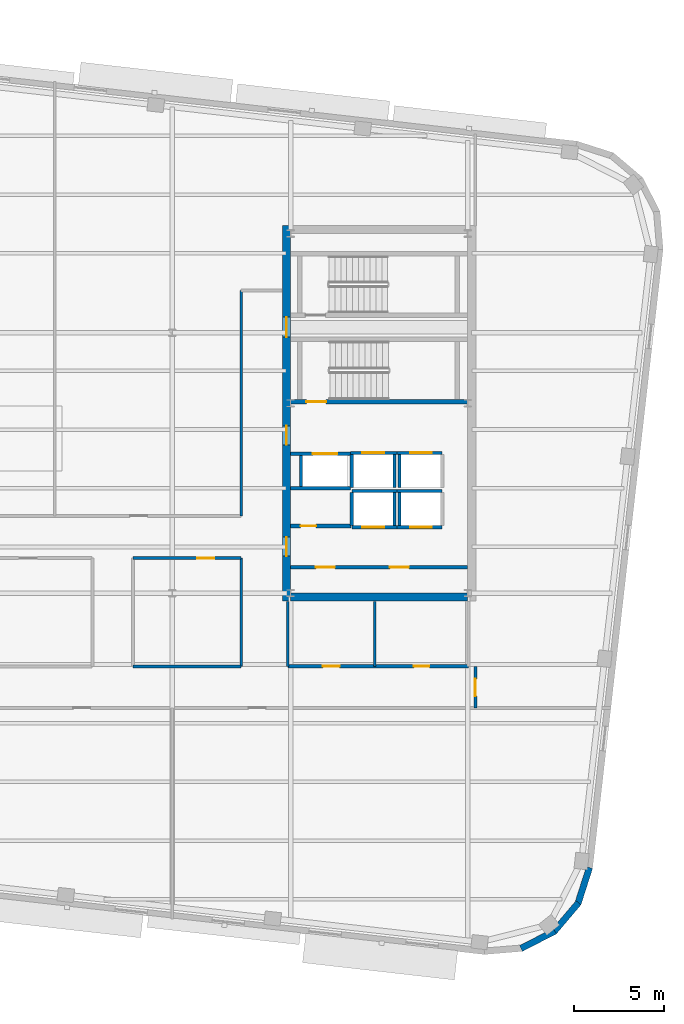
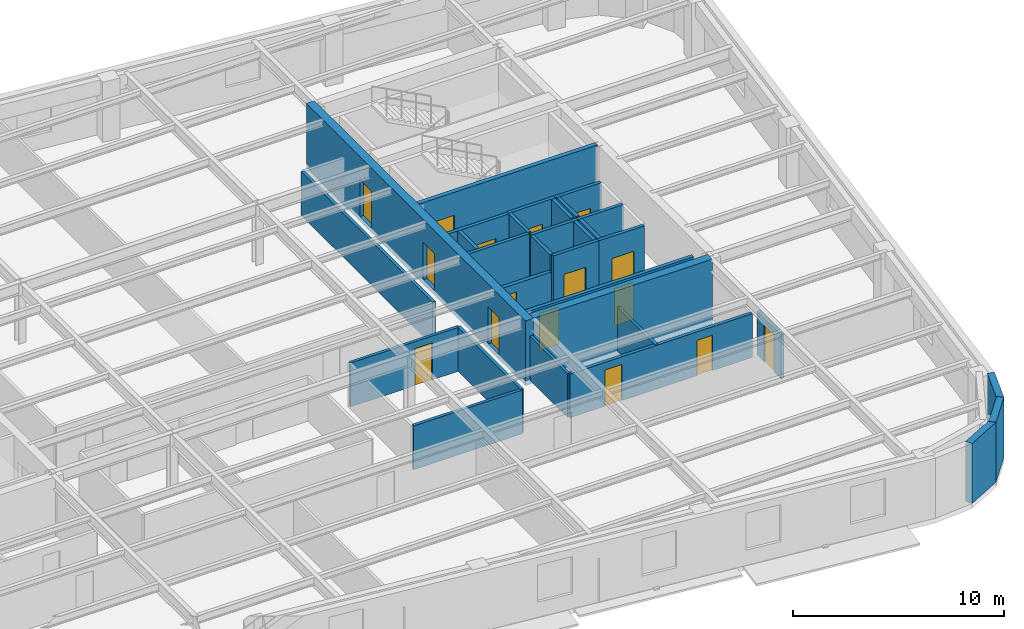
# One storey, part 7 of 13: 31 walls, 16 doors, 16 openings.
"""IFC4 building model written with IfcOpenShell, lengths in metres."""

import ifcopenshell
import ifcopenshell.guid

model = None  # the IFC model being written
_history = None  # IfcOwnerHistory: only IFC2X3 demands one
_inside = {}  # id of a spatial element -> (the spatial element, [elements in it])
_under = {}  # id of a project, library or spatial element -> (it, [spatial elements below it])
_declared = {}  # id of a project -> (the project, [libraries it declares])
_typed = {}  # id of a type object -> (the type object, [elements of that type])
_made_of = {}  # id of a material, layer set ... -> (it, [elements and type objects made of it])


def new_model(schema):
    """Start an empty IFC model of exactly this schema.

    Asked for "IFC4X3", IfcOpenShell would pick the latest addendum, in which some entities
    have other attributes; the version numbers below select the first issue.
    IFC2X3 requires an IfcOwnerHistory on every rooted entity: one is made here for all.
    """
    global model, _history
    if schema == "IFC4X3":
        model = ifcopenshell.file(schema_version=(4, 3, 0, 0))
    else:
        model = ifcopenshell.file(schema=schema)
    _inside.clear()
    _under.clear()
    _declared.clear()
    _typed.clear()
    _made_of.clear()
    _history = None
    if model.schema == "IFC2X3":
        org = make("IfcOrganization", Name="unknown")
        user = make(
            "IfcPersonAndOrganization",
            ThePerson=make("IfcPerson", FamilyName="unknown"),
            TheOrganization=org,
        )
        app = make(
            "IfcApplication",
            ApplicationDeveloper=org,
            Version="unknown",
            ApplicationFullName="unknown",
            ApplicationIdentifier="unknown",
        )
        _history = make(
            "IfcOwnerHistory",
            OwningUser=user,
            OwningApplication=app,
            ChangeAction="ADDED",
            CreationDate=0,
        )
    return model


def make(cls, **values):
    """One entity of the class cls with the attributes given. An attribute that is None is left unset."""
    return model.create_entity(
        cls, **{name: value for name, value in values.items() if value is not None}
    )


def rooted(cls, **values):
    """An entity with a GlobalId (a new one), such as an element, a storey or a relation."""
    return make(cls, GlobalId=ifcopenshell.guid.new(), OwnerHistory=_history, **values)


def si_unit(unit_type, name, prefix=None):
    """IfcSIUnit, for example si_unit("LENGTHUNIT", "METRE", prefix="MILLI")."""
    return make("IfcSIUnit", UnitType=unit_type, Prefix=prefix, Name=name)


def assignment(units):
    """IfcUnitAssignment: the units of a project."""
    return None if units is None else make("IfcUnitAssignment", Units=units)


def point(xyz):
    """IfcCartesianPoint."""
    return None if xyz is None else make("IfcCartesianPoint", Coordinates=xyz)


def direction(xyz):
    """IfcDirection."""
    return None if xyz is None else make("IfcDirection", DirectionRatios=xyz)


def frame(location, z_axis=None, x_axis=None):
    """IfcAxis2Placement3D, a coordinate frame: its origin and axes. An axis left out is left unset."""
    return make(
        "IfcAxis2Placement3D",
        Location=point(location),
        Axis=direction(z_axis),
        RefDirection=direction(x_axis),
    )


def frame_2d(location, x_axis=None):
    """IfcAxis2Placement2D, a coordinate frame in the plane: its origin and x axis."""
    return make(
        "IfcAxis2Placement2D", Location=point(location), RefDirection=direction(x_axis)
    )


def origin():
    """The frame at (0, 0, 0) with its axes left unset."""
    return frame((0.0, 0.0, 0.0))


def place(relative_to, where):
    """IfcLocalPlacement: puts the frame where relative to a parent placement (None: the world)."""
    return make(
        "IfcLocalPlacement", PlacementRelTo=relative_to, RelativePlacement=where
    )


def context(
    kind, dimensions, precision=None, world=None, true_north=None, identifier=None
):
    """IfcGeometricRepresentationContext, for example the 3D "Model" context."""
    return make(
        "IfcGeometricRepresentationContext",
        ContextIdentifier=identifier,
        ContextType=kind,
        CoordinateSpaceDimension=dimensions,
        Precision=precision,
        WorldCoordinateSystem=world,
        TrueNorth=true_north,
    )


def subcontext(parent, identifier, kind, view, scale=None):
    """IfcGeometricRepresentationSubContext, for example "Body" below "Model"."""
    return make(
        "IfcGeometricRepresentationSubContext",
        ContextIdentifier=identifier,
        ContextType=kind,
        ParentContext=parent,
        TargetScale=scale,
        TargetView=view,
    )


def project(units=None, contexts=None):
    """IfcProject with its units and contexts."""
    return rooted(
        "IfcProject",
        Name="project",
        RepresentationContexts=contexts,
        UnitsInContext=assignment(units),
    )


def spatial(cls, under=None, at=None, **own):
    """A site, building, storey or space (cls), placed at a placement, below another one or the project."""
    s = rooted(cls, ObjectPlacement=at, **own)
    if under is not None:
        _under.setdefault(under.id(), (under, []))[1].append(s)
    return s


def profile(cls, at=None, kind="AREA", **sizes):
    """A parametric profile (cls). Its sizes go by their IFC names, for example OverallWidth=200.0."""
    return make(cls, ProfileType=kind, Position=at, **sizes)


def rectangle(**sizes):
    """IfcRectangleProfileDef."""
    return profile("IfcRectangleProfileDef", **sizes)


def extrude(swept, where, along, depth):
    """IfcExtrudedAreaSolid: the profile swept, set in the frame where, extruded along a direction by depth."""
    return make(
        "IfcExtrudedAreaSolid",
        SweptArea=swept,
        Position=where,
        ExtrudedDirection=direction(along),
        Depth=depth,
    )


def shape(context_of_items, identifier, shape_type, items):
    """IfcShapeRepresentation: the items that make up one representation, for example the "Body"."""
    return make(
        "IfcShapeRepresentation",
        ContextOfItems=context_of_items,
        RepresentationIdentifier=identifier,
        RepresentationType=shape_type,
        Items=items,
    )


def material(Name=None, Category=None):
    """IfcMaterial."""
    return make("IfcMaterial", Name=Name, Category=Category)


def layer(
    of_material, thickness, ventilated=None, Name=None, Category=None, Priority=None
):
    """IfcMaterialLayer: one layer of a wall or slab, of a material (None: an air gap)."""
    return make(
        "IfcMaterialLayer",
        Material=of_material,
        LayerThickness=thickness,
        IsVentilated=ventilated,
        Name=Name,
        Category=Category,
        Priority=Priority,
    )


def layer_set(layers, Name=None):
    """IfcMaterialLayerSet."""
    return make("IfcMaterialLayerSet", MaterialLayers=layers, LayerSetName=Name)


def made_of(thing, what):
    """Note that an element or type object is made of a material, layer set ...; save() writes the relation."""
    if what is not None:
        _made_of.setdefault(what.id(), (what, []))[1].append(thing)
    return thing


def type_object(cls, material=None, **own):
    """A type object (cls), such as IfcWallType, which elements share."""
    return made_of(rooted(cls, **own), material)


def element(
    cls,
    number,
    at=None,
    inside=None,
    cuts=None,
    type_object=None,
    material=None,
    context=None,
    identifier="Body",
    shape_type=None,
    held_by="IfcProductDefinitionShape",
    body=None,
    shapes=None,
    **own,
):
    """One element of the class cls, such as IfcWall. Its Tag is "e" and its number.

    at: its placement. inside: the storey or other place that contains it. cuts: it is an
    opening in that element (IfcRelVoidsElement). A single representation is given by context,
    identifier, shape_type and body (its items); several are given by shapes. held_by: the class
    of the entity that holds the representations. save() writes the other relations.
    """
    e = rooted(cls, Tag="e%d" % number, ObjectPlacement=at, **own)
    if body is not None:
        shapes = [shape(context, identifier, shape_type, body)]
    if shapes is not None:
        e.Representation = make(held_by, Representations=shapes)
    if inside is not None:
        _inside.setdefault(inside.id(), (inside, []))[1].append(e)
    if cuts is not None:
        rooted(
            "IfcRelVoidsElement", RelatingBuildingElement=cuts, RelatedOpeningElement=e
        )
    if type_object is not None:
        _typed.setdefault(type_object.id(), (type_object, []))[1].append(e)
    return made_of(e, material)


def fill(opening, filler):
    """IfcRelFillsElement: the door or window that sits in an opening."""
    return rooted(
        "IfcRelFillsElement",
        RelatingOpeningElement=opening,
        RelatedBuildingElement=filler,
    )


def aggregate(whole, parts):
    """IfcRelAggregates: a whole, such as a stair, and the parts it consists of."""
    return rooted("IfcRelAggregates", RelatingObject=whole, RelatedObjects=parts)


def save(model, path):
    """Write the relations noted so far, then the file.

    IfcRelAggregates (storeys below a building ...), IfcRelContainedInSpatialStructure (elements
    in a storey), IfcRelDefinesByType, IfcRelAssociatesMaterial and IfcRelDeclares: one each for
    every whole, place, type object, material and project.
    """
    for whole, parts in _under.values():
        aggregate(whole, parts)
    for where, things in _inside.values():
        rooted(
            "IfcRelContainedInSpatialStructure",
            RelatedElements=things,
            RelatingStructure=where,
        )
    for kind, things in _typed.values():
        rooted("IfcRelDefinesByType", RelatedObjects=things, RelatingType=kind)
    for what, things in _made_of.values():
        rooted("IfcRelAssociatesMaterial", RelatedObjects=things, RelatingMaterial=what)
    for by, libraries in _declared.values():
        rooted("IfcRelDeclares", RelatingContext=by, RelatedDefinitions=libraries)
    model.write(path)


model = new_model("IFC4")

# Units and contexts
model_context = context("Model", 3, precision=1e-05, world=origin(), true_north=direction((0.0, 1.0)))
body_context = subcontext(model_context, "Body", "Model", "MODEL_VIEW")
ifc_project = project(units=[si_unit("LENGTHUNIT", "METRE"), si_unit("AREAUNIT", "SQUARE_METRE"), si_unit("VOLUMEUNIT", "CUBIC_METRE"), si_unit("PLANEANGLEUNIT", "RADIAN"), si_unit("MASSUNIT", "GRAM", prefix="KILO")], contexts=[model_context])

# Site, building, storey
site_placement = place(None, origin())
site = spatial("IfcSite", under=ifc_project, at=site_placement, CompositionType="ELEMENT")
building_placement = place(site_placement, origin())
building = spatial("IfcBuilding", under=site, at=building_placement, Name="Kolvaren Arena Tower", CompositionType="ELEMENT")
storey_placement = place(building_placement, frame((0.0, 0.0, 262.199951171875)))
storey = spatial("IfcBuildingStorey", under=building, at=storey_placement, Name="L64", CompositionType="ELEMENT", Elevation=262.199951171875)

# Wall, opening, door
ifc_material_1 = material(Name="Gypsum board acoustic assembly", Category="gypsum")
ifc_layer_1 = layer(ifc_material_1, 0.159912109375)
ifc_layer_set_1 = layer_set([ifc_layer_1], Name="Gypsum board acoustic assembly")
wall_type_1 = type_object("IfcWallType", Name="CORR-160", PredefinedType="PARTITIONING", material=ifc_layer_set_1)
wall_1_placement = place(storey_placement, frame((41.840087890625, 21.3798828125, 0.0), z_axis=(0.0, 0.0, 1.0), x_axis=(1.0, 0.0, 0.0)))
wall_1 = element("IfcWall", 1, at=wall_1_placement, inside=storey, type_object=wall_type_1, Name="Interior Partition Wall (L64)", PredefinedType="PARTITIONING", context=body_context, shape_type="SweptSolid", body=[
    extrude(rectangle(XDim=5.9599609375, YDim=0.159912109375, at=frame_2d((2.97998046875, 0.0))), origin(), (0.0, 0.0, 1.0), 2.5400390625),
])
opening_1_placement = place(wall_1_placement, frame((3.534912109375, 0.0, 0.0)))
opening_1 = element("IfcOpeningElement", 2, at=opening_1_placement, cuts=wall_1, Name="Opening D05", PredefinedType="OPENING", context=body_context, shape_type="SweptSolid", body=[
    extrude(rectangle(XDim=0.949951171875, YDim=2.14990234375, at=frame_2d((0.47509765625, 1.074951171875))), frame((0.0, 0.08984375, 0.0), z_axis=(0.0, -1.0, 0.0), x_axis=(1.0, 0.0, 0.0)), (0.0, 0.0, 1.0), 0.179931640625),
])
ifc_material_2 = material(Name="Solid-core oak acoustic office door", Category="wood")
door_type_1 = type_object("IfcDoorType", Name="DOOR-OF-095", OperationType="NOTDEFINED", PredefinedType="DOOR", material=ifc_material_2)
door_1_placement = place(opening_1_placement, origin())
door_1 = element("IfcDoor", 3, at=door_1_placement, inside=storey, type_object=door_type_1, Name="Design Studio Door (L64)", OperationType="SINGLE_SWING_LEFT", OverallHeight=2.14990234375, OverallWidth=0.949951171875, PredefinedType="DOOR", context=body_context, shape_type="SweptSolid", body=[
    extrude(rectangle(XDim=0.949951171875, YDim=2.14990234375, at=frame_2d((0.47509765625, 1.074951171875))), frame((0.0, 0.02490234375, 0.0), z_axis=(0.0, -1.0, 0.0), x_axis=(1.0, 0.0, 0.0)), (0.0, 0.0, 1.0), 0.050048828125),
])
fill(opening_1, door_1)

# Walls
wall_2_placement = place(storey_placement, frame((41.840087890625, 15.3798828125, 0.0), z_axis=(0.0, 0.0, 1.0), x_axis=(1.0, 0.0, 0.0)))
element("IfcWall", 4, at=wall_2_placement, inside=storey, type_object=wall_type_1, Name="Interior Partition Wall (L64)", PredefinedType="PARTITIONING", context=body_context, shape_type="SweptSolid", body=[
    extrude(rectangle(XDim=5.9599609375, YDim=0.159912109375, at=frame_2d((2.97998046875, 0.0))), origin(), (0.0, 0.0, 1.0), 2.5400390625),
])
wall_3_placement = place(storey_placement, frame((47.820068359375, 15.3798828125, 0.0), z_axis=(0.0, 0.0, 1.0), x_axis=(0.0, 1.0, 0.0)))
element("IfcWall", 5, at=wall_3_placement, inside=storey, type_object=wall_type_1, Name="Interior Partition Wall (L64)", PredefinedType="PARTITIONING", context=body_context, shape_type="SweptSolid", body=[
    extrude(rectangle(XDim=6.0, YDim=0.159912109375, at=frame_2d((3.0, 0.0))), origin(), (0.0, 0.0, 1.0), 2.5400390625),
])
wall_4_placement = place(storey_placement, frame((47.820068359375, 23.719970703125, 0.0), z_axis=(0.0, 0.0, 1.0), x_axis=(0.0, 1.0, 0.0)))
element("IfcWall", 6, at=wall_4_placement, inside=storey, type_object=wall_type_1, Name="Interior Partition Wall (L64)", PredefinedType="PARTITIONING", context=body_context, shape_type="SweptSolid", body=[
    extrude(rectangle(XDim=12.47998046875, YDim=0.159912109375, at=frame_2d((6.239990234375, 0.0))), origin(), (0.0, 0.0, 1.0), 2.5400390625),
])

# Wall, opening, door
wall_5_placement = place(storey_placement, frame((60.780029296875, 13.10009765625, 0.0), z_axis=(0.0, 0.0, 1.0), x_axis=(0.0, 1.0, 0.0)))
wall_5 = element("IfcWall", 7, at=wall_5_placement, inside=storey, type_object=wall_type_1, Name="Interior Partition Wall (L64)", PredefinedType="PARTITIONING", context=body_context, shape_type="SweptSolid", body=[
    extrude(rectangle(XDim=2.2998046875, YDim=0.159912109375, at=frame_2d((1.14990234375, 0.0))), origin(), (0.0, 0.0, 1.0), 2.5400390625),
])
opening_2_placement = place(wall_5_placement, frame((0.64990234375, 0.0, 0.0)))
opening_2 = element("IfcOpeningElement", 8, at=opening_2_placement, cuts=wall_5, Name="Opening D05", PredefinedType="OPENING", context=body_context, shape_type="SweptSolid", body=[
    extrude(rectangle(XDim=0.949951171875, YDim=2.14990234375, at=frame_2d((0.47509765625, 1.074951171875))), frame((0.0, 0.08984375, 0.0), z_axis=(0.0, -1.0, 0.0), x_axis=(1.0, 0.0, 0.0)), (0.0, 0.0, 1.0), 0.179931640625),
])
door_2_placement = place(opening_2_placement, origin())
door_2 = element("IfcDoor", 9, at=door_2_placement, inside=storey, type_object=door_type_1, Name="East Wing Studio Door (L64)", OperationType="SINGLE_SWING_RIGHT", OverallHeight=2.14990234375, OverallWidth=0.949951171875, PredefinedType="DOOR", context=body_context, shape_type="SweptSolid", body=[
    extrude(rectangle(XDim=0.949951171875, YDim=2.14990234375, at=frame_2d((0.47509765625, 1.074951171875))), frame((0.0, 0.02490234375, 0.0), z_axis=(0.0, -1.0, 0.0), x_axis=(1.0, 0.0, 0.0)), (0.0, 0.0, 1.0), 0.050048828125),
])
fill(opening_2, door_2)

# Wall, openings, doors
ifc_material_3 = material(Name="Concrete 55 MPa", Category="concrete")
ifc_layer_2 = layer(ifc_material_3, 0.449951171875)
ifc_layer_set_2 = layer_set([ifc_layer_2], Name="Concrete 55 MPa")
wall_type_2 = type_object("IfcWallType", Name="CWALL-450", PredefinedType="SHEAR", material=ifc_layer_set_2)
wall_6_placement = place(storey_placement, frame((50.324951171875, 19.0, -0.27001953125), z_axis=(0.0, 0.0, 1.0), x_axis=(0.0, 1.0, 0.0)))
wall_6 = element("IfcWall", 10, at=wall_6_placement, inside=storey, type_object=wall_type_2, Name="Core Shear Wall EC-WEST (L64)", PredefinedType="SHEAR", context=body_context, shape_type="SweptSolid", body=[
    extrude(rectangle(XDim=20.800048828125, YDim=0.449951171875, at=frame_2d((10.39990234375, 0.0))), origin(), (0.0, 0.0, 1.0), 3.75),
])
opening_3_placement = place(wall_6_placement, frame((2.5, 0.0, 0.27001953125)))
opening_3 = element("IfcOpeningElement", 11, at=opening_3_placement, cuts=wall_6, Name="Opening D04", PredefinedType="OPENING", context=body_context, shape_type="SweptSolid", body=[
    extrude(rectangle(XDim=1.050048828125, YDim=2.14990234375, at=frame_2d((0.52490234375, 1.074951171875))), frame((0.0, 0.23486328125, 0.0), z_axis=(0.0, -1.0, 0.0), x_axis=(1.0, 0.0, 0.0)), (0.0, 0.0, 1.0), 0.469970703125),
])
opening_4_placement = place(wall_6_placement, frame((8.64990234375, 0.0, 0.27001953125)))
opening_4 = element("IfcOpeningElement", 12, at=opening_4_placement, cuts=wall_6, Name="Opening D04", PredefinedType="OPENING", context=body_context, shape_type="SweptSolid", body=[
    extrude(rectangle(XDim=1.050048828125, YDim=2.14990234375, at=frame_2d((0.52490234375, 1.074951171875))), frame((0.0, 0.23486328125, 0.0), z_axis=(0.0, -1.0, 0.0), x_axis=(1.0, 0.0, 0.0)), (0.0, 0.0, 1.0), 0.469970703125),
])
opening_5_placement = place(wall_6_placement, frame((14.6201171875, 0.0, 0.27001953125)))
opening_5 = element("IfcOpeningElement", 13, at=opening_5_placement, cuts=wall_6, Name="Opening D03", PredefinedType="OPENING", context=body_context, shape_type="SweptSolid", body=[
    extrude(rectangle(XDim=1.10009765625, YDim=2.14990234375, at=frame_2d((0.550048828125, 1.074951171875))), frame((0.0, 0.23486328125, 0.0), z_axis=(0.0, -1.0, 0.0), x_axis=(1.0, 0.0, 0.0)), (0.0, 0.0, 1.0), 0.469970703125),
])
ifc_material_4 = material(Name="Fire-rated steel lobby door", Category="steel")
door_type_2 = type_object("IfcDoorType", Name="DOOR-FF-105", OperationType="NOTDEFINED", PredefinedType="DOOR", material=ifc_material_4)
door_3_placement = place(opening_3_placement, origin())
door_3 = element("IfcDoor", 14, at=door_3_placement, inside=storey, type_object=door_type_2, Name="East Lift Lobby Fire Door (L64)", OperationType="SINGLE_SWING_RIGHT", OverallHeight=2.14990234375, OverallWidth=1.050048828125, PredefinedType="DOOR", context=body_context, shape_type="SweptSolid", body=[
    extrude(rectangle(XDim=1.050048828125, YDim=2.14990234375, at=frame_2d((0.52490234375, 1.074951171875))), frame((0.0, 0.02490234375, 0.0), z_axis=(0.0, -1.0, 0.0), x_axis=(1.0, 0.0, 0.0)), (0.0, 0.0, 1.0), 0.050048828125),
])
fill(opening_3, door_3)
door_4_placement = place(opening_4_placement, origin())
door_4 = element("IfcDoor", 15, at=door_4_placement, inside=storey, type_object=door_type_2, Name="East Firefighter Vestibule Door (L64)", OperationType="SINGLE_SWING_LEFT", OverallHeight=2.14990234375, OverallWidth=1.050048828125, PredefinedType="DOOR", context=body_context, shape_type="SweptSolid", body=[
    extrude(rectangle(XDim=1.050048828125, YDim=2.14990234375, at=frame_2d((0.52490234375, 1.074951171875))), frame((0.0, 0.02490234375, 0.0), z_axis=(0.0, -1.0, 0.0), x_axis=(1.0, 0.0, 0.0)), (0.0, 0.0, 1.0), 0.050048828125),
])
fill(opening_4, door_4)
ifc_material_5 = material(Name="Fire-rated steel exit stair door", Category="steel")
door_type_3 = type_object("IfcDoorType", Name="DOOR-ST-110", OperationType="NOTDEFINED", PredefinedType="DOOR", material=ifc_material_5)
door_5_placement = place(opening_5_placement, origin())
door_5 = element("IfcDoor", 16, at=door_5_placement, inside=storey, type_object=door_type_3, Name="Stair ST-E2 Vestibule Fire Door (L64)", OperationType="SINGLE_SWING_LEFT", OverallHeight=2.14990234375, OverallWidth=1.10009765625, PredefinedType="DOOR", context=body_context, shape_type="SweptSolid", body=[
    extrude(rectangle(XDim=1.10009765625, YDim=2.14990234375, at=frame_2d((0.550048828125, 1.074951171875))), frame((0.0, 0.02490234375, 0.0), z_axis=(0.0, -1.0, 0.0), x_axis=(1.0, 0.0, 0.0)), (0.0, 0.0, 1.0), 0.050048828125),
])
fill(opening_5, door_5)

# Walls
wall_7_placement = place(storey_placement, frame((50.550048828125, 19.22509765625, -0.27001953125), z_axis=(0.0, 0.0, 1.0), x_axis=(1.0, 0.0, 0.0)))
element("IfcWall", 17, at=wall_7_placement, inside=storey, type_object=wall_type_2, Name="Core Shear Wall EC-SOUTH (L64)", PredefinedType="SHEAR", context=body_context, shape_type="SweptSolid", body=[
    extrude(rectangle(XDim=9.800048828125, YDim=0.449951171875, at=frame_2d((4.89990234375, 0.0))), origin(), (0.0, 0.0, 1.0), 3.75),
])
ifc_material_6 = material(Name="Precast concrete C50/60", Category="concrete")
ifc_layer_3 = layer(ifc_material_6, 0.360107421875)
ifc_layer_set_3 = layer_set([ifc_layer_3], Name="Precast concrete C50/60")
wall_type_3 = type_object("IfcWallType", Name="EXT-PIER2", PredefinedType="SOLIDWALL", material=ifc_layer_set_3)
for number, where, z_axis, x_axis, name in (
    (18, (65.176025390625, 0.745849609375, 0.0), (0.0, 0.0, 1.0), (-0.888985992199, -0.457934390142, 0.0), "Exterior Precast Masonry-Frame Wall (L64)"),
    (19, (66.482421875, 2.310302734375, 0.0), (0.0, 0.0, 1.0), (-0.646103249464, -0.763250018691, 0.0), "Exterior Precast Masonry-Frame Wall (L64)"),
):
    element("IfcWall", number, at=place(storey_placement, frame(where, z_axis=z_axis, x_axis=x_axis)), inside=storey, type_object=wall_type_3, Name=name, PredefinedType="SOLIDWALL", context=body_context, shape_type="SweptSolid", body=[
        extrude(rectangle(XDim=2.10693359375, YDim=0.360107421875, at=frame_2d((1.053466796875, 0.0))), origin(), (0.0, 0.0, 1.0), 3.47998046875),
    ])
wall_8_placement = place(storey_placement, frame((67.0908203125, 4.255615234375, 0.0), z_axis=(0.0, 0.0, 1.0), x_axis=(-0.304838787518, -0.952403965565, 0.0)))
element("IfcWall", 20, at=wall_8_placement, inside=storey, type_object=wall_type_3, Name="Exterior Precast Masonry-Frame Wall (L64)", PredefinedType="SOLIDWALL", context=body_context, shape_type="SweptSolid", body=[
    extrude(rectangle(XDim=2.107177734375, YDim=0.360107421875, at=frame_2d((1.0537109375, 0.0))), origin(), (0.0, 0.0, 1.0), 3.47998046875),
])

# Wall, openings, doors
ifc_material_7 = material(Name="Concrete 40 MPa", Category="concrete")
ifc_layer_4 = layer(ifc_material_7, 0.199951171875)
ifc_layer_set_4 = layer_set([ifc_layer_4], Name="Concrete 40 MPa")
wall_type_4 = type_object("IfcWallType", Name="LOBBY-200", PredefinedType="SOLIDWALL", material=ifc_layer_set_4)
wall_9_placement = place(storey_placement, frame((50.550048828125, 20.8798828125, 0.0), z_axis=(0.0, 0.0, 1.0), x_axis=(1.0, 0.0, 0.0)))
wall_9 = element("IfcWall", 21, at=wall_9_placement, inside=storey, type_object=wall_type_4, Name="Core Shaft Wall (L64)", PredefinedType="SOLIDWALL", context=body_context, shape_type="SweptSolid", body=[
    extrude(rectangle(XDim=9.800048828125, YDim=0.199951171875, at=frame_2d((4.89990234375, 0.0))), origin(), (0.0, 0.0, 1.0), 2.5400390625),
])
opening_6_placement = place(wall_9_placement, frame((1.39990234375, 0.0, 0.0)))
opening_6 = element("IfcOpeningElement", 22, at=opening_6_placement, cuts=wall_9, Name="Opening D04", PredefinedType="OPENING", context=body_context, shape_type="SweptSolid", body=[
    extrude(rectangle(XDim=1.050048828125, YDim=2.14990234375, at=frame_2d((0.52490234375, 1.074951171875))), frame((0.0, 0.10986328125, 0.0), z_axis=(0.0, -1.0, 0.0), x_axis=(1.0, 0.0, 0.0)), (0.0, 0.0, 1.0), 0.219970703125),
])
opening_7_placement = place(wall_9_placement, frame((5.5, 0.0, 0.0)))
opening_7 = element("IfcOpeningElement", 23, at=opening_7_placement, cuts=wall_9, Name="Opening D04", PredefinedType="OPENING", context=body_context, shape_type="SweptSolid", body=[
    extrude(rectangle(XDim=1.050048828125, YDim=2.14990234375, at=frame_2d((0.52490234375, 1.074951171875))), frame((0.0, 0.10986328125, 0.0), z_axis=(0.0, -1.0, 0.0), x_axis=(1.0, 0.0, 0.0)), (0.0, 0.0, 1.0), 0.219970703125),
])
door_6_placement = place(opening_6_placement, origin())
door_6 = element("IfcDoor", 24, at=door_6_placement, inside=storey, type_object=door_type_2, Name="East Telecom Room Fire Door (L64)", OperationType="SINGLE_SWING_RIGHT", OverallHeight=2.14990234375, OverallWidth=1.050048828125, PredefinedType="DOOR", context=body_context, shape_type="SweptSolid", body=[
    extrude(rectangle(XDim=1.050048828125, YDim=2.14990234375, at=frame_2d((0.52490234375, 1.074951171875))), frame((0.0, 0.02490234375, 0.0), z_axis=(0.0, -1.0, 0.0), x_axis=(1.0, 0.0, 0.0)), (0.0, 0.0, 1.0), 0.050048828125),
])
fill(opening_6, door_6)
door_7_placement = place(opening_7_placement, origin())
door_7 = element("IfcDoor", 25, at=door_7_placement, inside=storey, type_object=door_type_2, Name="East Records Room Fire Door (L64)", OperationType="SINGLE_SWING_LEFT", OverallHeight=2.14990234375, OverallWidth=1.050048828125, PredefinedType="DOOR", context=body_context, shape_type="SweptSolid", body=[
    extrude(rectangle(XDim=1.050048828125, YDim=2.14990234375, at=frame_2d((0.52490234375, 1.074951171875))), frame((0.0, 0.02490234375, 0.0), z_axis=(0.0, -1.0, 0.0), x_axis=(1.0, 0.0, 0.0)), (0.0, 0.0, 1.0), 0.050048828125),
])
fill(opening_7, door_7)

# Wall, opening, door
wall_10_placement = place(storey_placement, frame((50.550048828125, 23.159912109375, 0.0), z_axis=(0.0, 0.0, 1.0), x_axis=(1.0, 0.0, 0.0)))
wall_10 = element("IfcWall", 26, at=wall_10_placement, inside=storey, type_object=wall_type_4, Name="Core Shaft Wall (L64)", PredefinedType="SOLIDWALL", context=body_context, shape_type="SweptSolid", body=[
    extrude(rectangle(XDim=3.329833984375, YDim=0.199951171875, at=frame_2d((1.6650390625, 0.0))), origin(), (0.0, 0.0, 1.0), 2.5400390625),
])
opening_8_placement = place(wall_10_placement, frame((0.550048828125, 0.0, 0.0)))
opening_8 = element("IfcOpeningElement", 27, at=opening_8_placement, cuts=wall_10, Name="Opening D09", PredefinedType="OPENING", context=body_context, shape_type="SweptSolid", body=[
    extrude(rectangle(XDim=0.860107421875, YDim=2.050048828125, at=frame_2d((0.43017578125, 1.02490234375))), frame((0.0, 0.10986328125, 0.0), z_axis=(0.0, -1.0, 0.0), x_axis=(1.0, 0.0, 0.0)), (0.0, 0.0, 1.0), 0.219970703125),
])
ifc_material_8 = material(Name="Fire-rated steel riser access door", Category="steel")
door_type_4 = type_object("IfcDoorType", Name="DOOR-RS-086", OperationType="NOTDEFINED", PredefinedType="DOOR", material=ifc_material_8)
door_8_placement = place(opening_8_placement, origin())
door_8 = element("IfcDoor", 28, at=door_8_placement, inside=storey, type_object=door_type_4, Name="East AV Riser Closet Door (L64)", OperationType="SINGLE_SWING_LEFT", OverallHeight=2.050048828125, OverallWidth=0.860107421875, PredefinedType="DOOR", context=body_context, shape_type="SweptSolid", body=[
    extrude(rectangle(XDim=0.860107421875, YDim=2.050048828125, at=frame_2d((0.43017578125, 1.02490234375))), frame((0.0, 0.02490234375, 0.0), z_axis=(0.0, -1.0, 0.0), x_axis=(1.0, 0.0, 0.0)), (0.0, 0.0, 1.0), 0.050048828125),
])
fill(opening_8, door_8)

ifc_material_9 = material(Name="Concrete 45 MPa", Category="concrete")
ifc_layer_5 = layer(ifc_material_9, 0.25)
ifc_layer_set_5 = layer_set([ifc_layer_5], Name="Concrete 45 MPa")
wall_type_5 = type_object("IfcWallType", Name="SHAFT-250", PredefinedType="SOLIDWALL", material=ifc_layer_set_5)
wall_11_placement = place(storey_placement, frame((60.35009765625, 30.030029296875, 0.0), z_axis=(0.0, 0.0, 1.0), x_axis=(-1.0, 0.0, 0.0)))
wall_11 = element("IfcWall", 29, at=wall_11_placement, inside=storey, type_object=wall_type_5, Name="Core Shaft Wall (L64)", PredefinedType="SOLIDWALL", context=body_context, shape_type="SweptSolid", body=[
    extrude(rectangle(XDim=9.800048828125, YDim=0.239990234375, at=frame_2d((4.89990234375, 0.0))), origin(), (0.0, 0.0, 1.0), 3.47998046875),
])
opening_9_placement = place(wall_11_placement, frame((7.830078125, 0.0, 0.0)))
opening_9 = element("IfcOpeningElement", 30, at=opening_9_placement, cuts=wall_11, Name="Opening D03", PredefinedType="OPENING", context=body_context, shape_type="SweptSolid", body=[
    extrude(rectangle(XDim=1.10009765625, YDim=2.14990234375, at=frame_2d((0.550048828125, 1.074951171875))), frame((0.0, 0.1298828125, 0.0), z_axis=(0.0, -1.0, 0.0), x_axis=(1.0, 0.0, 0.0)), (0.0, 0.0, 1.0), 0.260009765625),
])
door_9_placement = place(opening_9_placement, origin())
door_9 = element("IfcDoor", 31, at=door_9_placement, inside=storey, type_object=door_type_3, Name="Stair ST-E1 Fire Door (L64)", OperationType="SINGLE_SWING_LEFT", OverallHeight=2.14990234375, OverallWidth=1.10009765625, PredefinedType="DOOR", context=body_context, shape_type="SweptSolid", body=[
    extrude(rectangle(XDim=1.10009765625, YDim=2.14990234375, at=frame_2d((0.550048828125, 1.074951171875))), frame((0.0, 0.02490234375, 0.0), z_axis=(0.0, -1.0, 0.0), x_axis=(1.0, 0.0, 0.0)), (0.0, 0.0, 1.0), 0.050048828125),
])
fill(opening_9, door_9)

# Wall
wall_12_placement = place(storey_placement, frame((53.93994140625, 25.10498046875, 0.0), z_axis=(0.0, 0.0, 1.0), x_axis=(1.0, 0.0, 0.0)))
element("IfcWall", 32, at=wall_12_placement, inside=storey, type_object=wall_type_5, Name="Core Shaft Wall (L64)", PredefinedType="SOLIDWALL", context=body_context, shape_type="SweptSolid", body=[
    extrude(rectangle(XDim=2.5, YDim=0.179931640625, at=frame_2d((1.25, 0.0))), origin(), (0.0, 0.0, 1.0), 3.47998046875),
])

# Wall, opening, door
wall_13_placement = place(storey_placement, frame((53.93994140625, 23.094970703125, 0.0), z_axis=(0.0, 0.0, 1.0), x_axis=(1.0, 0.0, 0.0)))
wall_13 = element("IfcWall", 33, at=wall_13_placement, inside=storey, type_object=wall_type_5, Name="Core Shaft Wall (L64)", PredefinedType="SOLIDWALL", context=body_context, shape_type="SweptSolid", body=[
    extrude(rectangle(XDim=2.5, YDim=0.179931640625, at=frame_2d((1.25, 0.0))), origin(), (0.0, 0.0, 1.0), 3.47998046875),
])
opening_10_placement = place(wall_13_placement, frame((0.580078125, 0.0, 0.0)))
opening_10 = element("IfcOpeningElement", 34, at=opening_10_placement, cuts=wall_13, Name="Opening LD1", PredefinedType="OPENING", context=body_context, shape_type="SweptSolid", body=[
    extrude(rectangle(XDim=1.199951171875, YDim=2.199951171875, at=frame_2d((0.60009765625, 1.10009765625))), frame((0.0, 0.099853515625, 0.0), z_axis=(0.0, -1.0, 0.0), x_axis=(1.0, 0.0, 0.0)), (0.0, 0.0, 1.0), 0.199951171875),
])
ifc_material_10 = material(Name="Stainless steel passenger lift landing door", Category="steel")
door_type_5 = type_object("IfcDoorType", Name="DOOR-LD-120", OperationType="DOUBLE_DOOR_SLIDING", PredefinedType="DOOR", material=ifc_material_10)
door_10_placement = place(opening_10_placement, origin())
door_10 = element("IfcDoor", 35, at=door_10_placement, inside=storey, type_object=door_type_5, Name="Lift EL-HR1 Landing Door (L64)", OperationType="DOUBLE_DOOR_SLIDING", OverallHeight=2.199951171875, OverallWidth=1.199951171875, PredefinedType="DOOR", context=body_context, shape_type="SweptSolid", body=[
    extrude(rectangle(XDim=1.199951171875, YDim=2.199951171875, at=frame_2d((0.60009765625, 1.10009765625))), frame((0.0, 0.02490234375, 0.0), z_axis=(0.0, -1.0, 0.0), x_axis=(1.0, 0.0, 0.0)), (0.0, 0.0, 1.0), 0.050048828125),
])
fill(opening_10, door_10)

# Walls
for number, where, z_axis, x_axis, name in (
    (36, (53.93994140625, 23.18505859375, 0.0), (0.0, 0.0, 1.0), (0.0, 1.0, 0.0), "Core Shaft Wall (L64)"),
    (37, (56.300048828125, 23.18505859375, 0.0), (0.0, 0.0, 1.0), (0.0, 1.0, 0.0), "Core Shaft Wall (L64)"),
):
    element("IfcWall", number, at=place(storey_placement, frame(where, z_axis=z_axis, x_axis=x_axis)), inside=storey, type_object=wall_type_5, Name=name, PredefinedType="SOLIDWALL", context=body_context, shape_type="SweptSolid", body=[
        extrude(rectangle(XDim=1.829833984375, YDim=0.179931640625, at=frame_2d((0.9150390625, 0.0))), origin(), (0.0, 0.0, 1.0), 3.47998046875),
    ])
wall_14_placement = place(storey_placement, frame((56.43994140625, 25.10498046875, 0.0), z_axis=(0.0, 0.0, 1.0), x_axis=(1.0, 0.0, 0.0)))
element("IfcWall", 38, at=wall_14_placement, inside=storey, type_object=wall_type_5, Name="Core Shaft Wall (L64)", PredefinedType="SOLIDWALL", context=body_context, shape_type="SweptSolid", body=[
    extrude(rectangle(XDim=2.5, YDim=0.179931640625, at=frame_2d((1.25, 0.0))), origin(), (0.0, 0.0, 1.0), 3.47998046875),
])

# Wall, opening, door
wall_15_placement = place(storey_placement, frame((56.43994140625, 23.094970703125, 0.0), z_axis=(0.0, 0.0, 1.0), x_axis=(1.0, 0.0, 0.0)))
wall_15 = element("IfcWall", 39, at=wall_15_placement, inside=storey, type_object=wall_type_5, Name="Core Shaft Wall (L64)", PredefinedType="SOLIDWALL", context=body_context, shape_type="SweptSolid", body=[
    extrude(rectangle(XDim=2.5, YDim=0.179931640625, at=frame_2d((1.25, 0.0))), origin(), (0.0, 0.0, 1.0), 3.47998046875),
])
opening_11_placement = place(wall_15_placement, frame((0.719970703125, 0.0, 0.0)))
opening_11 = element("IfcOpeningElement", 40, at=opening_11_placement, cuts=wall_15, Name="Opening LD1", PredefinedType="OPENING", context=body_context, shape_type="SweptSolid", body=[
    extrude(rectangle(XDim=1.199951171875, YDim=2.199951171875, at=frame_2d((0.60009765625, 1.10009765625))), frame((0.0, 0.099853515625, 0.0), z_axis=(0.0, -1.0, 0.0), x_axis=(1.0, 0.0, 0.0)), (0.0, 0.0, 1.0), 0.199951171875),
])
door_11_placement = place(opening_11_placement, origin())
door_11 = element("IfcDoor", 41, at=door_11_placement, inside=storey, type_object=door_type_5, Name="Lift EL-HR2 Landing Door (L64)", OperationType="DOUBLE_DOOR_SLIDING", OverallHeight=2.199951171875, OverallWidth=1.199951171875, PredefinedType="DOOR", context=body_context, shape_type="SweptSolid", body=[
    extrude(rectangle(XDim=1.199951171875, YDim=2.199951171875, at=frame_2d((0.60009765625, 1.10009765625))), frame((0.0, 0.02490234375, 0.0), z_axis=(0.0, -1.0, 0.0), x_axis=(1.0, 0.0, 0.0)), (0.0, 0.0, 1.0), 0.050048828125),
])
fill(opening_11, door_11)

# Wall
wall_16_placement = place(storey_placement, frame((56.580078125, 23.18505859375, 0.0), z_axis=(0.0, 0.0, 1.0), x_axis=(0.0, 1.0, 0.0)))
element("IfcWall", 42, at=wall_16_placement, inside=storey, type_object=wall_type_5, Name="Core Shaft Wall (L64)", PredefinedType="SOLIDWALL", context=body_context, shape_type="SweptSolid", body=[
    extrude(rectangle(XDim=1.829833984375, YDim=0.179931640625, at=frame_2d((0.9150390625, 0.0))), origin(), (0.0, 0.0, 1.0), 3.47998046875),
])

# Wall, opening, door
wall_17_placement = place(storey_placement, frame((53.864990234375, 27.205078125, 0.0), z_axis=(0.0, 0.0, 1.0), x_axis=(1.0, 0.0, 0.0)))
wall_17 = element("IfcWall", 43, at=wall_17_placement, inside=storey, type_object=wall_type_5, Name="Core Shaft Wall (L64)", PredefinedType="SOLIDWALL", context=body_context, shape_type="SweptSolid", body=[
    extrude(rectangle(XDim=2.574951171875, YDim=0.179931640625, at=frame_2d((1.28759765625, 0.0))), origin(), (0.0, 0.0, 1.0), 3.47998046875),
])
opening_12_placement = place(wall_17_placement, frame((0.655029296875, 0.0, 0.0)))
opening_12 = element("IfcOpeningElement", 44, at=opening_12_placement, cuts=wall_17, Name="Opening LD1", PredefinedType="OPENING", context=body_context, shape_type="SweptSolid", body=[
    extrude(rectangle(XDim=1.199951171875, YDim=2.199951171875, at=frame_2d((0.60009765625, 1.10009765625))), frame((0.0, 0.099853515625, 0.0), z_axis=(0.0, -1.0, 0.0), x_axis=(1.0, 0.0, 0.0)), (0.0, 0.0, 1.0), 0.199951171875),
])
door_12_placement = place(opening_12_placement, origin())
door_12 = element("IfcDoor", 45, at=door_12_placement, inside=storey, type_object=door_type_5, Name="Lift EL-HR3 Landing Door (L64)", OperationType="DOUBLE_DOOR_SLIDING", OverallHeight=2.199951171875, OverallWidth=1.199951171875, PredefinedType="DOOR", context=body_context, shape_type="SweptSolid", body=[
    extrude(rectangle(XDim=1.199951171875, YDim=2.199951171875, at=frame_2d((0.60009765625, 1.10009765625))), frame((0.0, 0.02490234375, 0.0), z_axis=(0.0, -1.0, 0.0), x_axis=(1.0, 0.0, 0.0)), (0.0, 0.0, 1.0), 0.050048828125),
])
fill(opening_12, door_12)

# Walls
for number, where, z_axis, x_axis, name in (
    (46, (53.93994140625, 25.284912109375, 0.0), (0.0, 0.0, 1.0), (0.0, 1.0, 0.0), "Core Shaft Wall (L64)"),
    (47, (56.300048828125, 25.284912109375, 0.0), (0.0, 0.0, 1.0), (0.0, 1.0, 0.0), "Core Shaft Wall (L64)"),
):
    element("IfcWall", number, at=place(storey_placement, frame(where, z_axis=z_axis, x_axis=x_axis)), inside=storey, type_object=wall_type_5, Name=name, PredefinedType="SOLIDWALL", context=body_context, shape_type="SweptSolid", body=[
        extrude(rectangle(XDim=1.830078125, YDim=0.179931640625, at=frame_2d((0.9150390625, 0.0))), origin(), (0.0, 0.0, 1.0), 3.47998046875),
    ])

# Wall, opening, door
wall_18_placement = place(storey_placement, frame((56.43994140625, 27.205078125, 0.0), z_axis=(0.0, 0.0, 1.0), x_axis=(1.0, 0.0, 0.0)))
wall_18 = element("IfcWall", 48, at=wall_18_placement, inside=storey, type_object=wall_type_5, Name="Core Shaft Wall (L64)", PredefinedType="SOLIDWALL", context=body_context, shape_type="SweptSolid", body=[
    extrude(rectangle(XDim=2.5, YDim=0.179931640625, at=frame_2d((1.25, 0.0))), origin(), (0.0, 0.0, 1.0), 3.47998046875),
])
opening_13_placement = place(wall_18_placement, frame((0.719970703125, 0.0, 0.0)))
opening_13 = element("IfcOpeningElement", 49, at=opening_13_placement, cuts=wall_18, Name="Opening LD1", PredefinedType="OPENING", context=body_context, shape_type="SweptSolid", body=[
    extrude(rectangle(XDim=1.199951171875, YDim=2.199951171875, at=frame_2d((0.60009765625, 1.10009765625))), frame((0.0, 0.099853515625, 0.0), z_axis=(0.0, -1.0, 0.0), x_axis=(1.0, 0.0, 0.0)), (0.0, 0.0, 1.0), 0.199951171875),
])
door_13_placement = place(opening_13_placement, origin())
door_13 = element("IfcDoor", 50, at=door_13_placement, inside=storey, type_object=door_type_5, Name="Lift EL-HR4 Landing Door (L64)", OperationType="DOUBLE_DOOR_SLIDING", OverallHeight=2.199951171875, OverallWidth=1.199951171875, PredefinedType="DOOR", context=body_context, shape_type="SweptSolid", body=[
    extrude(rectangle(XDim=1.199951171875, YDim=2.199951171875, at=frame_2d((0.60009765625, 1.10009765625))), frame((0.0, 0.02490234375, 0.0), z_axis=(0.0, -1.0, 0.0), x_axis=(1.0, 0.0, 0.0)), (0.0, 0.0, 1.0), 0.050048828125),
])
fill(opening_13, door_13)

# Wall
wall_19_placement = place(storey_placement, frame((56.580078125, 25.284912109375, 0.0), z_axis=(0.0, 0.0, 1.0), x_axis=(0.0, 1.0, 0.0)))
element("IfcWall", 51, at=wall_19_placement, inside=storey, type_object=wall_type_5, Name="Core Shaft Wall (L64)", PredefinedType="SOLIDWALL", context=body_context, shape_type="SweptSolid", body=[
    extrude(rectangle(XDim=1.830078125, YDim=0.179931640625, at=frame_2d((0.9150390625, 0.0))), origin(), (0.0, 0.0, 1.0), 3.47998046875),
])

# Wall, opening, door
wall_20_placement = place(storey_placement, frame((50.550048828125, 27.155029296875, 0.0), z_axis=(0.0, 0.0, 1.0), x_axis=(1.0, 0.0, 0.0)))
wall_20 = element("IfcWall", 52, at=wall_20_placement, inside=storey, type_object=wall_type_5, Name="Core Shaft Wall (L64)", PredefinedType="SOLIDWALL", context=body_context, shape_type="SweptSolid", body=[
    extrude(rectangle(XDim=3.31494140625, YDim=0.179931640625, at=frame_2d((1.657470703125, 0.0))), origin(), (0.0, 0.0, 1.0), 3.47998046875),
])
opening_14_placement = place(wall_20_placement, frame((1.235107421875, 0.0, 0.0)))
opening_14 = element("IfcOpeningElement", 53, at=opening_14_placement, cuts=wall_20, Name="Opening LD2", PredefinedType="OPENING", context=body_context, shape_type="SweptSolid", body=[
    extrude(rectangle(XDim=1.35009765625, YDim=2.300048828125, at=frame_2d((0.675048828125, 1.14990234375))), frame((0.0, 0.099853515625, 0.0), z_axis=(0.0, -1.0, 0.0), x_axis=(1.0, 0.0, 0.0)), (0.0, 0.0, 1.0), 0.199951171875),
])
ifc_material_11 = material(Name="Stainless steel firefighter lift landing door", Category="steel")
door_type_6 = type_object("IfcDoorType", Name="DOOR-LD-135", OperationType="DOUBLE_DOOR_SLIDING", PredefinedType="DOOR", material=ifc_material_11)
door_14_placement = place(opening_14_placement, origin())
door_14 = element("IfcDoor", 54, at=door_14_placement, inside=storey, type_object=door_type_6, Name="Firefighter Lift FF-E1 Landing Door (L64)", OperationType="DOUBLE_DOOR_SLIDING", OverallHeight=2.300048828125, OverallWidth=1.35009765625, PredefinedType="DOOR", context=body_context, shape_type="SweptSolid", body=[
    extrude(rectangle(XDim=1.35009765625, YDim=2.300048828125, at=frame_2d((0.675048828125, 1.14990234375))), frame((0.0, 0.02490234375, 0.0), z_axis=(0.0, -1.0, 0.0), x_axis=(1.0, 0.0, 0.0)), (0.0, 0.0, 1.0), 0.050048828125),
])
fill(opening_14, door_14)

# Walls
wall_21_placement = place(storey_placement, frame((50.550048828125, 25.2451171875, 0.0), z_axis=(0.0, 0.0, 1.0), x_axis=(1.0, 0.0, 0.0)))
element("IfcWall", 55, at=wall_21_placement, inside=storey, type_object=wall_type_5, Name="Core Shaft Wall (L64)", PredefinedType="SOLIDWALL", context=body_context, shape_type="SweptSolid", body=[
    extrude(rectangle(XDim=3.31494140625, YDim=0.179931640625, at=frame_2d((1.657470703125, 0.0))), origin(), (0.0, 0.0, 1.0), 3.47998046875),
])
wall_22_placement = place(storey_placement, frame((51.1298828125, 25.3349609375, 0.0), z_axis=(0.0, 0.0, 1.0), x_axis=(0.0, 1.0, 0.0)))
element("IfcWall", 56, at=wall_22_placement, inside=storey, type_object=wall_type_5, Name="Core Shaft Wall (L64)", PredefinedType="SOLIDWALL", context=body_context, shape_type="SweptSolid", body=[
    extrude(rectangle(XDim=1.72998046875, YDim=0.179931640625, at=frame_2d((0.864990234375, 0.0))), origin(), (0.0, 0.0, 1.0), 3.47998046875),
])

# Wall, openings, doors
wall_23_placement = place(storey_placement, frame((50.39990234375, 15.39990234375, 0.0), z_axis=(0.0, 0.0, 1.0), x_axis=(1.0, 0.0, 0.0)))
wall_23 = element("IfcWall", 57, at=wall_23_placement, inside=storey, type_object=wall_type_5, Name="Interior Partition Wall (L64)", PredefinedType="SOLIDWALL", context=body_context, shape_type="SweptSolid", body=[
    extrude(rectangle(XDim=10.0, YDim=0.179931640625, at=frame_2d((5.0, 0.0))), origin(), (0.0, 0.0, 1.0), 2.5400390625),
])
opening_15_placement = place(wall_23_placement, frame((1.93994140625, 0.0, 0.0)))
opening_15 = element("IfcOpeningElement", 58, at=opening_15_placement, cuts=wall_23, Name="Opening D07", PredefinedType="OPENING", context=body_context, shape_type="SweptSolid", body=[
    extrude(rectangle(XDim=0.919921875, YDim=2.10009765625, at=frame_2d((0.4599609375, 1.050048828125))), frame((0.0, 0.099853515625, 0.0), z_axis=(0.0, -1.0, 0.0), x_axis=(1.0, 0.0, 0.0)), (0.0, 0.0, 1.0), 0.199951171875),
])
opening_16_placement = place(wall_23_placement, frame((6.969970703125, 0.0, 0.0)))
opening_16 = element("IfcOpeningElement", 59, at=opening_16_placement, cuts=wall_23, Name="Opening D09", PredefinedType="OPENING", context=body_context, shape_type="SweptSolid", body=[
    extrude(rectangle(XDim=0.860107421875, YDim=2.050048828125, at=frame_2d((0.43017578125, 1.02490234375))), frame((0.0, 0.099853515625, 0.0), z_axis=(0.0, -1.0, 0.0), x_axis=(1.0, 0.0, 0.0)), (0.0, 0.0, 1.0), 0.199951171875),
])
door_15_placement = place(opening_16_placement, origin())
door_15 = element("IfcDoor", 60, at=door_15_placement, inside=storey, type_object=door_type_4, Name="Electrical Riser Closet Door (L64)", OperationType="SINGLE_SWING_LEFT", OverallHeight=2.050048828125, OverallWidth=0.860107421875, PredefinedType="DOOR", context=body_context, shape_type="SweptSolid", body=[
    extrude(rectangle(XDim=0.860107421875, YDim=2.050048828125, at=frame_2d((0.43017578125, 1.02490234375))), frame((0.0, 0.02490234375, 0.0), z_axis=(0.0, -1.0, 0.0), x_axis=(1.0, 0.0, 0.0)), (0.0, 0.0, 1.0), 0.050048828125),
])
fill(opening_16, door_15)
ifc_material_12 = material(Name="Laminate universal washroom door", Category="wood")
door_type_7 = type_object("IfcDoorType", Name="DOOR-WC-092", OperationType="NOTDEFINED", PredefinedType="DOOR", material=ifc_material_12)
door_16_placement = place(opening_15_placement, origin())
door_16 = element("IfcDoor", 61, at=door_16_placement, inside=storey, type_object=door_type_7, Name="Cleaner and Janitor Store Door (L64)", OperationType="SINGLE_SWING_RIGHT", OverallHeight=2.10009765625, OverallWidth=0.919921875, PredefinedType="DOOR", context=body_context, shape_type="SweptSolid", body=[
    extrude(rectangle(XDim=0.919921875, YDim=2.10009765625, at=frame_2d((0.4599609375, 1.050048828125))), frame((0.0, 0.02490234375, 0.0), z_axis=(0.0, -1.0, 0.0), x_axis=(1.0, 0.0, 0.0)), (0.0, 0.0, 1.0), 0.050048828125),
])
fill(opening_15, door_16)

# Walls
ifc_material_13 = material(Name="Moisture-resistant gypsum assembly", Category="gypsum")
ifc_layer_6 = layer(ifc_material_13, 0.14990234375)
ifc_layer_set_6 = layer_set([ifc_layer_6], Name="Moisture-resistant gypsum assembly")
wall_type_6 = type_object("IfcWallType", Name="WETW-150", PredefinedType="PARTITIONING", material=ifc_layer_set_6)
for number, where, z_axis, x_axis, name in (
    (62, (55.199951171875, 15.39990234375, 0.0), (0.0, 0.0, 1.0), (0.0, 1.0, 0.0), "Interior Partition Wall (L64)"),
    (63, (50.39990234375, 15.39990234375, 0.0), (0.0, 0.0, 1.0), (0.0, 1.0, 0.0), "Interior Partition Wall (L64)"),
):
    element("IfcWall", number, at=place(storey_placement, frame(where, z_axis=z_axis, x_axis=x_axis)), inside=storey, type_object=wall_type_6, Name=name, PredefinedType="PARTITIONING", context=body_context, shape_type="SweptSolid", body=[
        extrude(rectangle(XDim=3.580078125, YDim=0.14990234375, at=frame_2d((1.7900390625, 0.0))), origin(), (0.0, 0.0, 1.0), 2.5400390625),
    ])

save(model, "model.ifc")
